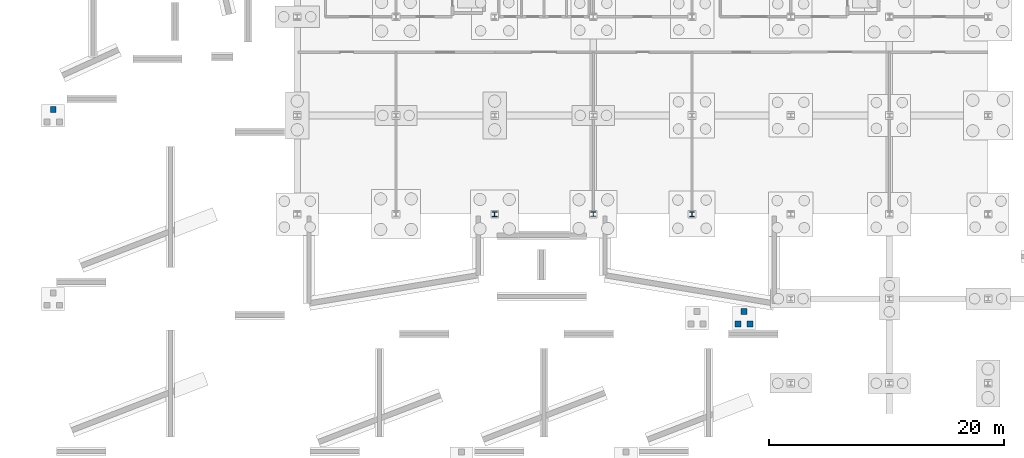
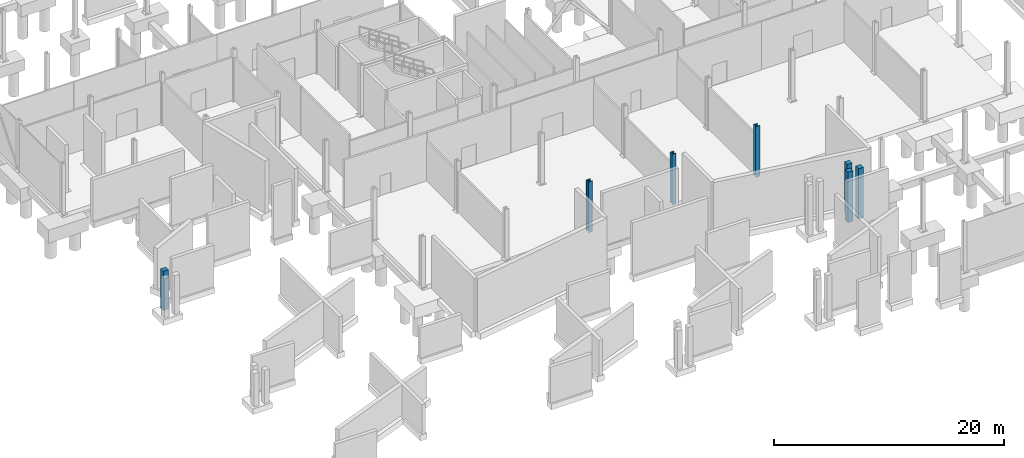
# One storey, part 15 of 61: 7 columns.
"""IFC4 building model written with IfcOpenShell, lengths in metres."""

import ifcopenshell
import ifcopenshell.guid

model = None  # the IFC model being written
_history = None  # IfcOwnerHistory: only IFC2X3 demands one
_inside = {}  # id of a spatial element -> (the spatial element, [elements in it])
_under = {}  # id of a project, library or spatial element -> (it, [spatial elements below it])
_declared = {}  # id of a project -> (the project, [libraries it declares])
_typed = {}  # id of a type object -> (the type object, [elements of that type])
_made_of = {}  # id of a material, layer set ... -> (it, [elements and type objects made of it])


def new_model(schema):
    """Start an empty IFC model of exactly this schema.

    Asked for "IFC4X3", IfcOpenShell would pick the latest addendum, in which some entities
    have other attributes; the version numbers below select the first issue.
    IFC2X3 requires an IfcOwnerHistory on every rooted entity: one is made here for all.
    """
    global model, _history
    if schema == "IFC4X3":
        model = ifcopenshell.file(schema_version=(4, 3, 0, 0))
    else:
        model = ifcopenshell.file(schema=schema)
    _inside.clear()
    _under.clear()
    _declared.clear()
    _typed.clear()
    _made_of.clear()
    _history = None
    if model.schema == "IFC2X3":
        org = make("IfcOrganization", Name="unknown")
        user = make(
            "IfcPersonAndOrganization",
            ThePerson=make("IfcPerson", FamilyName="unknown"),
            TheOrganization=org,
        )
        app = make(
            "IfcApplication",
            ApplicationDeveloper=org,
            Version="unknown",
            ApplicationFullName="unknown",
            ApplicationIdentifier="unknown",
        )
        _history = make(
            "IfcOwnerHistory",
            OwningUser=user,
            OwningApplication=app,
            ChangeAction="ADDED",
            CreationDate=0,
        )
    return model


def make(cls, **values):
    """One entity of the class cls with the attributes given. An attribute that is None is left unset."""
    return model.create_entity(
        cls, **{name: value for name, value in values.items() if value is not None}
    )


def rooted(cls, **values):
    """An entity with a GlobalId (a new one), such as an element, a storey or a relation."""
    return make(cls, GlobalId=ifcopenshell.guid.new(), OwnerHistory=_history, **values)


def si_unit(unit_type, name, prefix=None):
    """IfcSIUnit, for example si_unit("LENGTHUNIT", "METRE", prefix="MILLI")."""
    return make("IfcSIUnit", UnitType=unit_type, Prefix=prefix, Name=name)


def assignment(units):
    """IfcUnitAssignment: the units of a project."""
    return None if units is None else make("IfcUnitAssignment", Units=units)


def point(xyz):
    """IfcCartesianPoint."""
    return None if xyz is None else make("IfcCartesianPoint", Coordinates=xyz)


def direction(xyz):
    """IfcDirection."""
    return None if xyz is None else make("IfcDirection", DirectionRatios=xyz)


def frame(location, z_axis=None, x_axis=None):
    """IfcAxis2Placement3D, a coordinate frame: its origin and axes. An axis left out is left unset."""
    return make(
        "IfcAxis2Placement3D",
        Location=point(location),
        Axis=direction(z_axis),
        RefDirection=direction(x_axis),
    )


def frame_2d(location, x_axis=None):
    """IfcAxis2Placement2D, a coordinate frame in the plane: its origin and x axis."""
    return make(
        "IfcAxis2Placement2D", Location=point(location), RefDirection=direction(x_axis)
    )


def origin():
    """The frame at (0, 0, 0) with its axes left unset."""
    return frame((0.0, 0.0, 0.0))


def origin_2d():
    """The frame at (0, 0) in the plane with its x axis left unset."""
    return frame_2d((0.0, 0.0))


def place(relative_to, where):
    """IfcLocalPlacement: puts the frame where relative to a parent placement (None: the world)."""
    return make(
        "IfcLocalPlacement", PlacementRelTo=relative_to, RelativePlacement=where
    )


def context(
    kind, dimensions, precision=None, world=None, true_north=None, identifier=None
):
    """IfcGeometricRepresentationContext, for example the 3D "Model" context."""
    return make(
        "IfcGeometricRepresentationContext",
        ContextIdentifier=identifier,
        ContextType=kind,
        CoordinateSpaceDimension=dimensions,
        Precision=precision,
        WorldCoordinateSystem=world,
        TrueNorth=true_north,
    )


def subcontext(parent, identifier, kind, view, scale=None):
    """IfcGeometricRepresentationSubContext, for example "Body" below "Model"."""
    return make(
        "IfcGeometricRepresentationSubContext",
        ContextIdentifier=identifier,
        ContextType=kind,
        ParentContext=parent,
        TargetScale=scale,
        TargetView=view,
    )


def project(units=None, contexts=None):
    """IfcProject with its units and contexts."""
    return rooted(
        "IfcProject",
        Name="project",
        RepresentationContexts=contexts,
        UnitsInContext=assignment(units),
    )


def spatial(cls, under=None, at=None, **own):
    """A site, building, storey or space (cls), placed at a placement, below another one or the project."""
    s = rooted(cls, ObjectPlacement=at, **own)
    if under is not None:
        _under.setdefault(under.id(), (under, []))[1].append(s)
    return s


def profile(cls, at=None, kind="AREA", **sizes):
    """A parametric profile (cls). Its sizes go by their IFC names, for example OverallWidth=200.0."""
    return make(cls, ProfileType=kind, Position=at, **sizes)


def rectangle(**sizes):
    """IfcRectangleProfileDef."""
    return profile("IfcRectangleProfileDef", **sizes)


def i_section(**sizes):
    """IfcIShapeProfileDef."""
    return profile("IfcIShapeProfileDef", **sizes)


def extrude(swept, where, along, depth):
    """IfcExtrudedAreaSolid: the profile swept, set in the frame where, extruded along a direction by depth."""
    return make(
        "IfcExtrudedAreaSolid",
        SweptArea=swept,
        Position=where,
        ExtrudedDirection=direction(along),
        Depth=depth,
    )


def shape(context_of_items, identifier, shape_type, items):
    """IfcShapeRepresentation: the items that make up one representation, for example the "Body"."""
    return make(
        "IfcShapeRepresentation",
        ContextOfItems=context_of_items,
        RepresentationIdentifier=identifier,
        RepresentationType=shape_type,
        Items=items,
    )


def material(Name=None, Category=None):
    """IfcMaterial."""
    return make("IfcMaterial", Name=Name, Category=Category)


def material_profile(
    of_material, cross_section, Name=None, Category=None, Priority=None
):
    """IfcMaterialProfile: a cross section and its material."""
    return make(
        "IfcMaterialProfile",
        Name=Name,
        Material=of_material,
        Profile=cross_section,
        Priority=Priority,
        Category=Category,
    )


def profile_set(profiles, Name=None, composite=None):
    """IfcMaterialProfileSet."""
    return make(
        "IfcMaterialProfileSet",
        Name=Name,
        MaterialProfiles=profiles,
        CompositeProfile=composite,
    )


def made_of(thing, what):
    """Note that an element or type object is made of a material, layer set ...; save() writes the relation."""
    if what is not None:
        _made_of.setdefault(what.id(), (what, []))[1].append(thing)
    return thing


def type_object(cls, material=None, **own):
    """A type object (cls), such as IfcWallType, which elements share."""
    return made_of(rooted(cls, **own), material)


def element(
    cls,
    number,
    at=None,
    inside=None,
    cuts=None,
    type_object=None,
    material=None,
    context=None,
    identifier="Body",
    shape_type=None,
    held_by="IfcProductDefinitionShape",
    body=None,
    shapes=None,
    **own,
):
    """One element of the class cls, such as IfcWall. Its Tag is "e" and its number.

    at: its placement. inside: the storey or other place that contains it. cuts: it is an
    opening in that element (IfcRelVoidsElement). A single representation is given by context,
    identifier, shape_type and body (its items); several are given by shapes. held_by: the class
    of the entity that holds the representations. save() writes the other relations.
    """
    e = rooted(cls, Tag="e%d" % number, ObjectPlacement=at, **own)
    if body is not None:
        shapes = [shape(context, identifier, shape_type, body)]
    if shapes is not None:
        e.Representation = make(held_by, Representations=shapes)
    if inside is not None:
        _inside.setdefault(inside.id(), (inside, []))[1].append(e)
    if cuts is not None:
        rooted(
            "IfcRelVoidsElement", RelatingBuildingElement=cuts, RelatedOpeningElement=e
        )
    if type_object is not None:
        _typed.setdefault(type_object.id(), (type_object, []))[1].append(e)
    return made_of(e, material)


def aggregate(whole, parts):
    """IfcRelAggregates: a whole, such as a stair, and the parts it consists of."""
    return rooted("IfcRelAggregates", RelatingObject=whole, RelatedObjects=parts)


def save(model, path):
    """Write the relations noted so far, then the file.

    IfcRelAggregates (storeys below a building ...), IfcRelContainedInSpatialStructure (elements
    in a storey), IfcRelDefinesByType, IfcRelAssociatesMaterial and IfcRelDeclares: one each for
    every whole, place, type object, material and project.
    """
    for whole, parts in _under.values():
        aggregate(whole, parts)
    for where, things in _inside.values():
        rooted(
            "IfcRelContainedInSpatialStructure",
            RelatedElements=things,
            RelatingStructure=where,
        )
    for kind, things in _typed.values():
        rooted("IfcRelDefinesByType", RelatedObjects=things, RelatingType=kind)
    for what, things in _made_of.values():
        rooted("IfcRelAssociatesMaterial", RelatedObjects=things, RelatingMaterial=what)
    for by, libraries in _declared.values():
        rooted("IfcRelDeclares", RelatingContext=by, RelatedDefinitions=libraries)
    model.write(path)


model = new_model("IFC4")

# Units and contexts
model_context = context("Model", 3, precision=1e-05, world=origin(), true_north=direction((0.0, 1.0)))
body_context = subcontext(model_context, "Body", "Model", "MODEL_VIEW")
ifc_project = project(units=[si_unit("LENGTHUNIT", "METRE"), si_unit("AREAUNIT", "SQUARE_METRE"), si_unit("VOLUMEUNIT", "CUBIC_METRE"), si_unit("PLANEANGLEUNIT", "RADIAN"), si_unit("MASSUNIT", "GRAM", prefix="KILO")], contexts=[model_context])

# Site, building, storey
site_placement = place(None, origin())
site = spatial("IfcSite", under=ifc_project, at=site_placement, CompositionType="ELEMENT")
building_placement = place(site_placement, origin())
building = spatial("IfcBuilding", under=site, at=building_placement, Name="Calvrana Isthmian Art Gallery", CompositionType="ELEMENT")
storey_placement = place(building_placement, frame((0.0, 0.0, -5.39990234375)))
storey = spatial("IfcBuildingStorey", under=building, at=storey_placement, Name="B1", CompositionType="ELEMENT", Elevation=-5.39990234375)

# Columns
ifc_material_1 = material(Name="Concrete C40/50", Category="concrete")
ifc_material_profile_1 = material_profile(ifc_material_1, rectangle(XDim=0.5, YDim=0.5, at=origin_2d()), Name="RC500X500")
ifc_profile_set_1 = profile_set([ifc_material_profile_1], Name="Concrete C40/50")
column_type_1 = type_object("IfcColumnType", Name="COL-RC-RC500X500", PredefinedType="COLUMN", material=ifc_profile_set_1)
column_1_placement = place(storey_placement, frame((0.824951171875, 30.5, -0.4501953125), z_axis=(0.0, 0.0, 1.0), x_axis=(1.0, 0.0, 0.0)))
element("IfcColumn", 1, at=column_1_placement, inside=storey, type_object=column_type_1, Name="Ramp RMP-02 landing pedestal C", PredefinedType="COLUMN", context=body_context, shape_type="SweptSolid", body=[
    extrude(rectangle(XDim=0.5, YDim=0.5, at=origin_2d()), origin(), (0.0, 0.0, 1.0), 4.150146484375),
])
for number, where, z_axis, x_axis, name in (
    (2, (59.10009765625, 12.25, -0.4501953125), (0.0, 0.0, 1.0), (1.0, 0.0, 0.0), "Ramp RMP-05 landing pedestal A"),
    (3, (60.14990234375, 12.25, -0.4501953125), (0.0, 0.0, 1.0), (1.0, 0.0, 0.0), "Ramp RMP-05 landing pedestal B"),
    (4, (59.625, 13.300048828125, -0.4501953125), (0.0, 0.0, 1.0), (1.0, 0.0, 0.0), "Ramp RMP-05 landing pedestal C"),
):
    element("IfcColumn", number, at=place(storey_placement, frame(where, z_axis=z_axis, x_axis=x_axis)), inside=storey, type_object=column_type_1, Name=name, PredefinedType="COLUMN", context=body_context, shape_type="SweptSolid", body=[
        extrude(rectangle(XDim=0.5, YDim=0.5, at=origin_2d()), origin(), (0.0, 0.0, 1.0), 5.35009765625),
    ])
ifc_material_2 = material(Name="Steel ASTM A992 Gr 50", Category="steel")
ifc_material_profile_2 = material_profile(ifc_material_2, i_section(OverallWidth=0.39892578125, OverallDepth=0.39404296875, WebThickness=0.022705078125, FlangeThickness=0.03662109375, FilletRadius=0.02490234375, at=origin_2d()), Name="W14X193")
ifc_profile_set_2 = profile_set([ifc_material_profile_2], Name="Steel ASTM A992 Gr 50")
column_type_2 = type_object("IfcColumnType", Name="COL-STL-W14X193", PredefinedType="COLUMN", material=ifc_profile_set_2)
column_2_placement = place(storey_placement, frame((46.800048828125, 21.60009765625, 0.0), z_axis=(0.0, 0.0, 1.0), x_axis=(1.0, 0.0, 0.0)))
element("IfcColumn", 5, at=column_2_placement, inside=storey, type_object=column_type_2, Name="Column 07/D B1", PredefinedType="COLUMN", context=body_context, shape_type="SweptSolid", body=[
    extrude(i_section(OverallWidth=0.39892578125, OverallDepth=0.39404296875, WebThickness=0.022705078125, FlangeThickness=0.03662109375, FilletRadius=0.02490234375, at=origin_2d()), origin(), (0.0, 0.0, 1.0), 5.39990234375),
])
ifc_material_profile_3 = material_profile(ifc_material_2, i_section(OverallWidth=0.404052734375, OverallDepth=0.406005859375, WebThickness=0.027099609375, FlangeThickness=0.043701171875, FilletRadius=0.02490234375, at=origin_2d()), Name="W14X233")
ifc_profile_set_3 = profile_set([ifc_material_profile_3], Name="Steel ASTM A992 Gr 50")
column_type_3 = type_object("IfcColumnType", Name="COL-STL-W14X233", PredefinedType="COLUMN", material=ifc_profile_set_3)
column_3_placement = place(storey_placement, frame((38.39990234375, 21.60009765625, 0.0), z_axis=(0.0, 0.0, 1.0), x_axis=(1.0, 0.0, 0.0)))
element("IfcColumn", 6, at=column_3_placement, inside=storey, type_object=column_type_3, Name="Column 06/D B1", PredefinedType="COLUMN", context=body_context, shape_type="SweptSolid", body=[
    extrude(i_section(OverallWidth=0.404052734375, OverallDepth=0.406005859375, WebThickness=0.027099609375, FlangeThickness=0.043701171875, FilletRadius=0.02490234375, at=origin_2d()), origin(), (0.0, 0.0, 1.0), 5.39990234375),
])
ifc_material_profile_4 = material_profile(ifc_material_2, i_section(OverallWidth=0.406005859375, OverallDepth=0.4169921875, WebThickness=0.02978515625, FlangeThickness=0.048095703125, FilletRadius=0.02490234375, at=origin_2d()), Name="W14X257")
ifc_profile_set_4 = profile_set([ifc_material_profile_4], Name="Steel ASTM A992 Gr 50")
column_type_4 = type_object("IfcColumnType", Name="COL-STL-W14X257", PredefinedType="COLUMN", material=ifc_profile_set_4)
column_4_placement = place(storey_placement, frame((55.199951171875, 21.60009765625, 0.0), z_axis=(0.0, 0.0, 1.0), x_axis=(1.0, 0.0, 0.0)))
element("IfcColumn", 7, at=column_4_placement, inside=storey, type_object=column_type_4, Name="Column 08/D B1", PredefinedType="COLUMN", context=body_context, shape_type="SweptSolid", body=[
    extrude(i_section(OverallWidth=0.406005859375, OverallDepth=0.4169921875, WebThickness=0.02978515625, FlangeThickness=0.048095703125, FilletRadius=0.02490234375, at=origin_2d()), origin(), (0.0, 0.0, 1.0), 5.39990234375),
])

save(model, "model.ifc")
